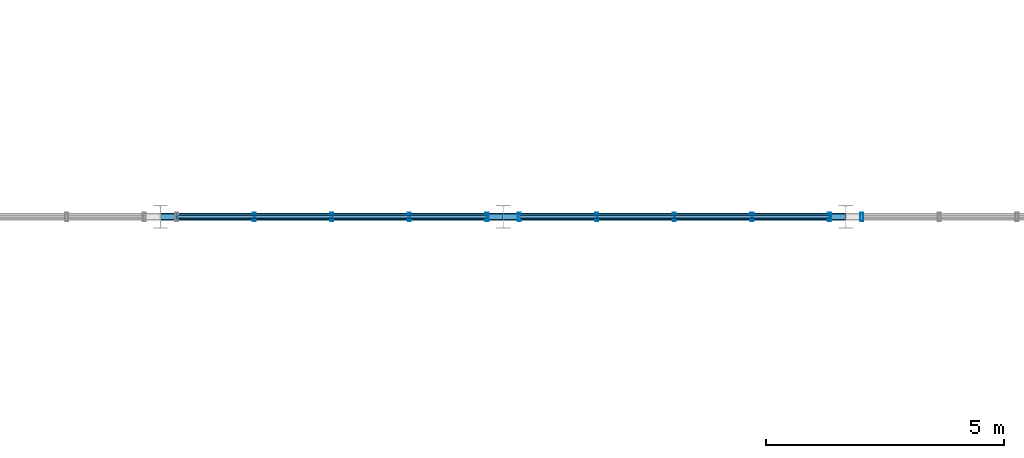
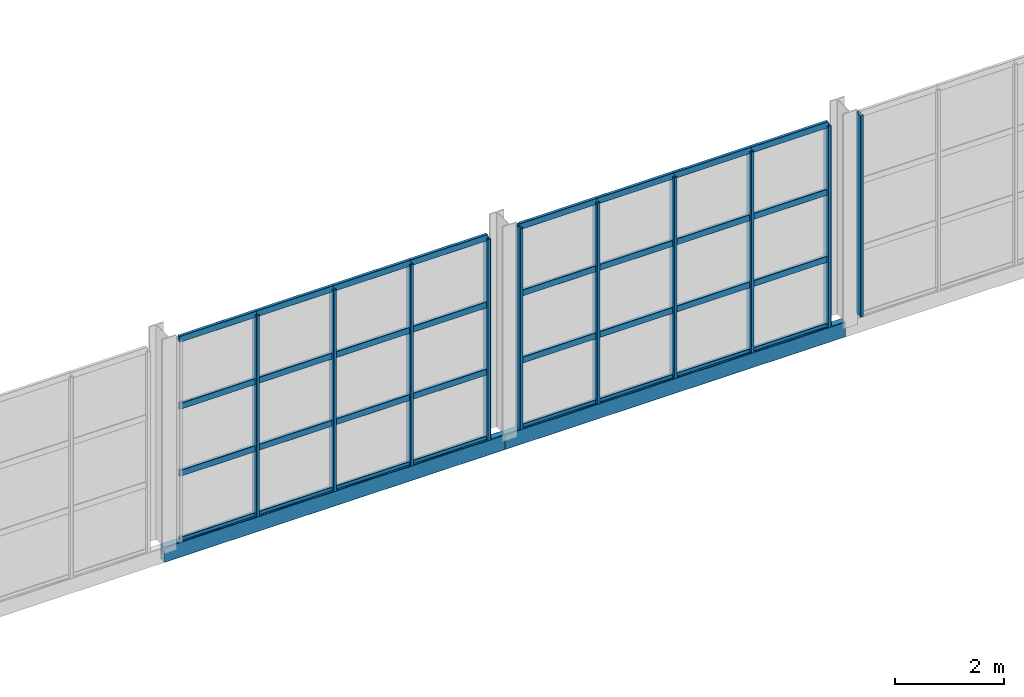
# One storey, part 30 of 143: 42 members, 2 beams, 3 elements without a shape of their own.
"""IFC4 building model written with IfcOpenShell, lengths in metres."""

from ifc_helpers import new_model, si_unit, derived_unit, direction, frame, origin, origin_2d, place, context, subcontext, project, spatial, hollow_rectangle, extrude, material, material_profile, profile_set, type_object, element, aggregate, save


model = new_model("IFC4")

# Units and contexts
model_context = context("Model", 3, precision=1e-05, world=origin(), true_north=direction((0.0, 1.0)))
body_context = subcontext(model_context, "Body", "Model", "MODEL_VIEW")
ifc_project = project(units=[si_unit("LENGTHUNIT", "METRE"), si_unit("AREAUNIT", "SQUARE_METRE"), si_unit("VOLUMEUNIT", "CUBIC_METRE"), si_unit("PLANEANGLEUNIT", "RADIAN"), si_unit("MASSUNIT", "GRAM", prefix="KILO"), derived_unit("THERMALTRANSMITTANCEUNIT", [(si_unit("POWERUNIT", "WATT"), 1), (si_unit("LENGTHUNIT", "METRE"), -2), (si_unit("THERMODYNAMICTEMPERATUREUNIT", "KELVIN"), -1)])], contexts=[model_context])

# Site, building, storey
site_placement = place(None, origin())
site = spatial("IfcSite", under=ifc_project, at=site_placement, CompositionType="ELEMENT")
building_placement = place(site_placement, origin())
building = spatial("IfcBuilding", under=site, at=building_placement, Name="Keldorne Ridge Multi-Sports Centre", CompositionType="ELEMENT")
storey_placement = place(building_placement, frame((0.0, 0.0, 4.800048828125)))
storey = spatial("IfcBuildingStorey", under=building, at=storey_placement, Name="L01", CompositionType="ELEMENT", Elevation=4.800048828125)

# Beams
ifc_material_1 = material(Name="Steel S355", Category="steel")
ifc_material_profile_1 = material_profile(ifc_material_1, hollow_rectangle(XDim=0.14990234375, YDim=0.35009765625, WallThickness=0.012451171875, InnerFilletRadius=0.012451171875, OuterFilletRadius=0.02490234375, at=origin_2d()), Name="RHS 350x150x12.5")
ifc_profile_set_1 = profile_set([ifc_material_profile_1], Name="Steel S355")
beam_type = type_object("IfcBeamType", Name="BM-SP-06", PredefinedType="SPANDREL", material=ifc_profile_set_1)
beam_1_placement = place(storey_placement, frame((49.199951171875, 54.0, -0.175048828125), z_axis=(1.0, 0.0, 0.0), x_axis=(0.0, 1.0, 0.0)))
element("IfcBeam", 1, at=beam_1_placement, inside=storey, type_object=beam_type, Name="Main Hall north spandrel L01.7", PredefinedType="SPANDREL", context=body_context, shape_type="SweptSolid", body=[
    extrude(hollow_rectangle(XDim=0.14990234375, YDim=0.35009765625, WallThickness=0.012451171875, InnerFilletRadius=0.012451171875, OuterFilletRadius=0.02490234375, at=origin_2d()), origin(), (0.0, 0.0, 1.0), 7.199951171875),
])
beam_2_placement = place(storey_placement, frame((56.39990234375, 54.0, -0.175048828125), z_axis=(1.0, 0.0, 0.0), x_axis=(0.0, 1.0, 0.0)))
element("IfcBeam", 2, at=beam_2_placement, inside=storey, type_object=beam_type, Name="Main Hall north spandrel L01.8", PredefinedType="SPANDREL", context=body_context, shape_type="SweptSolid", body=[
    extrude(hollow_rectangle(XDim=0.14990234375, YDim=0.35009765625, WallThickness=0.012451171875, InnerFilletRadius=0.012451171875, OuterFilletRadius=0.02490234375, at=origin_2d()), origin(), (0.0, 0.0, 1.0), 7.2001953125),
])

# Curtain wall, members
ifc_material_2 = material(Name="Anodized aluminium", Category="aluminium")
curtain_wall_type_1 = type_object("IfcCurtainWallType", Name="CW-CW-03", PredefinedType="NOTDEFINED", material=ifc_material_2)
curtain_wall_1_placement = place(storey_placement, origin())
curtain_wall_1 = element("IfcCurtainWall", 3, at=curtain_wall_1_placement, inside=storey, type_object=curtain_wall_type_1, Name="Main Hall north clerestory curtain wall 019", PredefinedType="NOTDEFINED")
ifc_material_profile_2 = material_profile(ifc_material_2, hollow_rectangle(XDim=0.06494140625, YDim=0.179931640625, WallThickness=0.00439453125, InnerFilletRadius=0.00439453125, OuterFilletRadius=0.009033203125, at=origin_2d()), Name="ALU MULLION 180x65x4.5")
ifc_profile_set_2 = profile_set([ifc_material_profile_2], Name="Anodized aluminium")
member_type_1 = type_object("IfcMemberType", Name="MEM-ML-01", PredefinedType="MULLION", material=ifc_profile_set_2)
member_1_placement = place(storey_placement, frame((56.06005859375, 54.0, 0.0), z_axis=(0.0, 0.0, 1.0), x_axis=(1.0, 0.0, 0.0)))
member_1 = element("IfcMember", 4, at=member_1_placement, type_object=member_type_1, Name="CW-019 vertical mullion 1", PredefinedType="MULLION", context=body_context, shape_type="SweptSolid", body=[
    extrude(hollow_rectangle(XDim=0.06494140625, YDim=0.179931640625, WallThickness=0.00439453125, InnerFilletRadius=0.00439453125, OuterFilletRadius=0.009033203125, at=origin_2d()), origin(), (0.0, 0.0, 1.0), 4.5),
])
member_2_placement = place(storey_placement, frame((54.429931640625, 54.0, 0.0), z_axis=(0.0, 0.0, 1.0), x_axis=(1.0, 0.0, 0.0)))
member_2 = element("IfcMember", 5, at=member_2_placement, type_object=member_type_1, Name="CW-019 vertical mullion 2", PredefinedType="MULLION", context=body_context, shape_type="SweptSolid", body=[
    extrude(hollow_rectangle(XDim=0.06494140625, YDim=0.179931640625, WallThickness=0.00439453125, InnerFilletRadius=0.00439453125, OuterFilletRadius=0.009033203125, at=origin_2d()), origin(), (0.0, 0.0, 1.0), 4.5),
])
member_3_placement = place(storey_placement, frame((52.800048828125, 54.0, 0.0), z_axis=(0.0, 0.0, 1.0), x_axis=(1.0, 0.0, 0.0)))
member_3 = element("IfcMember", 6, at=member_3_placement, type_object=member_type_1, Name="CW-019 vertical mullion 3", PredefinedType="MULLION", context=body_context, shape_type="SweptSolid", body=[
    extrude(hollow_rectangle(XDim=0.06494140625, YDim=0.179931640625, WallThickness=0.00439453125, InnerFilletRadius=0.00439453125, OuterFilletRadius=0.009033203125, at=origin_2d()), origin(), (0.0, 0.0, 1.0), 4.5),
])
member_4_placement = place(storey_placement, frame((51.169921875, 54.0, 0.0), z_axis=(0.0, 0.0, 1.0), x_axis=(1.0, 0.0, 0.0)))
member_4 = element("IfcMember", 7, at=member_4_placement, type_object=member_type_1, Name="CW-019 vertical mullion 4", PredefinedType="MULLION", context=body_context, shape_type="SweptSolid", body=[
    extrude(hollow_rectangle(XDim=0.06494140625, YDim=0.179931640625, WallThickness=0.00439453125, InnerFilletRadius=0.00439453125, OuterFilletRadius=0.009033203125, at=origin_2d()), origin(), (0.0, 0.0, 1.0), 4.5),
])

curtain_wall_type_2 = type_object("IfcCurtainWallType", Name="CW-CW-06", PredefinedType="NOTDEFINED", material=ifc_material_2)
curtain_wall_2_placement = place(storey_placement, origin())
curtain_wall_2 = element("IfcCurtainWall", 8, at=curtain_wall_2_placement, inside=storey, type_object=curtain_wall_type_2, Name="Main Hall north clerestory curtain wall 022", PredefinedType="NOTDEFINED")
member_5_placement = place(storey_placement, frame((63.260009765625, 54.0, 0.0), z_axis=(0.0, 0.0, 1.0), x_axis=(1.0, 0.0, 0.0)))
member_5 = element("IfcMember", 9, at=member_5_placement, type_object=member_type_1, Name="CW-022 vertical mullion 1", PredefinedType="MULLION", context=body_context, shape_type="SweptSolid", body=[
    extrude(hollow_rectangle(XDim=0.06494140625, YDim=0.179931640625, WallThickness=0.00439453125, InnerFilletRadius=0.00439453125, OuterFilletRadius=0.009033203125, at=origin_2d()), origin(), (0.0, 0.0, 1.0), 4.5),
])
member_6_placement = place(storey_placement, frame((61.6298828125, 54.0, 0.0), z_axis=(0.0, 0.0, 1.0), x_axis=(1.0, 0.0, 0.0)))
member_6 = element("IfcMember", 10, at=member_6_placement, type_object=member_type_1, Name="CW-022 vertical mullion 2", PredefinedType="MULLION", context=body_context, shape_type="SweptSolid", body=[
    extrude(hollow_rectangle(XDim=0.06494140625, YDim=0.179931640625, WallThickness=0.00439453125, InnerFilletRadius=0.00439453125, OuterFilletRadius=0.009033203125, at=origin_2d()), origin(), (0.0, 0.0, 1.0), 4.5),
])
member_7_placement = place(storey_placement, frame((60.0, 54.0, 0.0), z_axis=(0.0, 0.0, 1.0), x_axis=(1.0, 0.0, 0.0)))
member_7 = element("IfcMember", 11, at=member_7_placement, type_object=member_type_1, Name="CW-022 vertical mullion 3", PredefinedType="MULLION", context=body_context, shape_type="SweptSolid", body=[
    extrude(hollow_rectangle(XDim=0.06494140625, YDim=0.179931640625, WallThickness=0.00439453125, InnerFilletRadius=0.00439453125, OuterFilletRadius=0.009033203125, at=origin_2d()), origin(), (0.0, 0.0, 1.0), 4.5),
])
member_8_placement = place(storey_placement, frame((58.3701171875, 54.0, 0.0), z_axis=(0.0, 0.0, 1.0), x_axis=(1.0, 0.0, 0.0)))
member_8 = element("IfcMember", 12, at=member_8_placement, type_object=member_type_1, Name="CW-022 vertical mullion 4", PredefinedType="MULLION", context=body_context, shape_type="SweptSolid", body=[
    extrude(hollow_rectangle(XDim=0.06494140625, YDim=0.179931640625, WallThickness=0.00439453125, InnerFilletRadius=0.00439453125, OuterFilletRadius=0.009033203125, at=origin_2d()), origin(), (0.0, 0.0, 1.0), 4.5),
])
member_9_placement = place(storey_placement, frame((56.739990234375, 54.0, 0.0), z_axis=(0.0, 0.0, 1.0), x_axis=(1.0, 0.0, 0.0)))
member_9 = element("IfcMember", 13, at=member_9_placement, type_object=member_type_1, Name="CW-022 vertical mullion 5", PredefinedType="MULLION", context=body_context, shape_type="SweptSolid", body=[
    extrude(hollow_rectangle(XDim=0.06494140625, YDim=0.179931640625, WallThickness=0.00439453125, InnerFilletRadius=0.00439453125, OuterFilletRadius=0.009033203125, at=origin_2d()), origin(), (0.0, 0.0, 1.0), 4.5),
])

# Curtain wall, member
curtain_wall_type_3 = type_object("IfcCurtainWallType", Name="CW-CW-01", PredefinedType="NOTDEFINED", material=ifc_material_2)
curtain_wall_3_placement = place(storey_placement, origin())
curtain_wall_3 = element("IfcCurtainWall", 14, at=curtain_wall_3_placement, inside=storey, type_object=curtain_wall_type_3, Name="Main Hall north clerestory curtain wall 025", PredefinedType="NOTDEFINED")
member_10_placement = place(storey_placement, frame((63.93994140625, 54.0, 0.0), z_axis=(0.0, 0.0, 1.0), x_axis=(1.0, 0.0, 0.0)))
member_10 = element("IfcMember", 15, at=member_10_placement, type_object=member_type_1, Name="CW-025 vertical mullion 5", PredefinedType="MULLION", context=body_context, shape_type="SweptSolid", body=[
    extrude(hollow_rectangle(XDim=0.06494140625, YDim=0.179931640625, WallThickness=0.00439453125, InnerFilletRadius=0.00439453125, OuterFilletRadius=0.009033203125, at=origin_2d()), origin(), (0.0, 0.0, 1.0), 4.5),
])
aggregate(curtain_wall_3, [member_10])

# Member
ifc_material_profile_3 = material_profile(ifc_material_2, hollow_rectangle(XDim=0.06494140625, YDim=0.139892578125, WallThickness=0.00439453125, InnerFilletRadius=0.00439453125, OuterFilletRadius=0.009033203125, at=origin_2d()), Name="ALU TRANSOM 140x65x4.5")
ifc_profile_set_3 = profile_set([ifc_material_profile_3], Name="Anodized aluminium")
member_type_2 = type_object("IfcMemberType", Name="MEM-TR-01", PredefinedType="USERDEFINED", material=ifc_profile_set_3)
member_11_placement = place(storey_placement, frame((56.06005859375, 54.0, 0.0), z_axis=(-1.0, 0.0, 0.0), x_axis=(0.0, -1.0, 0.0)))
member_11 = element("IfcMember", 16, at=member_11_placement, type_object=member_type_2, Name="CW-019 transom 1.1", ObjectType="TRANSOM", PredefinedType="USERDEFINED", context=body_context, shape_type="SweptSolid", body=[
    extrude(hollow_rectangle(XDim=0.06494140625, YDim=0.139892578125, WallThickness=0.00439453125, InnerFilletRadius=0.00439453125, OuterFilletRadius=0.009033203125, at=origin_2d()), origin(), (0.0, 0.0, 1.0), 1.630126953125),
])

member_12_placement = place(storey_placement, frame((56.06005859375, 54.0, 1.5), z_axis=(-1.0, 0.0, 0.0), x_axis=(0.0, -1.0, 0.0)))
member_12 = element("IfcMember", 17, at=member_12_placement, type_object=member_type_2, Name="CW-019 transom 1.2", ObjectType="TRANSOM", PredefinedType="USERDEFINED", context=body_context, shape_type="SweptSolid", body=[
    extrude(hollow_rectangle(XDim=0.06494140625, YDim=0.139892578125, WallThickness=0.00439453125, InnerFilletRadius=0.00439453125, OuterFilletRadius=0.009033203125, at=origin_2d()), origin(), (0.0, 0.0, 1.0), 1.630126953125),
])

member_13_placement = place(storey_placement, frame((56.06005859375, 54.0, 3.0), z_axis=(-1.0, 0.0, 0.0), x_axis=(0.0, -1.0, 0.0)))
member_13 = element("IfcMember", 18, at=member_13_placement, type_object=member_type_2, Name="CW-019 transom 1.3", ObjectType="TRANSOM", PredefinedType="USERDEFINED", context=body_context, shape_type="SweptSolid", body=[
    extrude(hollow_rectangle(XDim=0.06494140625, YDim=0.139892578125, WallThickness=0.00439453125, InnerFilletRadius=0.00439453125, OuterFilletRadius=0.009033203125, at=origin_2d()), origin(), (0.0, 0.0, 1.0), 1.630126953125),
])

member_14_placement = place(storey_placement, frame((56.06005859375, 54.0, 4.5), z_axis=(-1.0, 0.0, 0.0), x_axis=(0.0, -1.0, 0.0)))
member_14 = element("IfcMember", 19, at=member_14_placement, type_object=member_type_2, Name="CW-019 transom 1.4", ObjectType="TRANSOM", PredefinedType="USERDEFINED", context=body_context, shape_type="SweptSolid", body=[
    extrude(hollow_rectangle(XDim=0.06494140625, YDim=0.139892578125, WallThickness=0.00439453125, InnerFilletRadius=0.00439453125, OuterFilletRadius=0.009033203125, at=origin_2d()), origin(), (0.0, 0.0, 1.0), 1.630126953125),
])

member_15_placement = place(storey_placement, frame((54.429931640625, 54.0, 0.0), z_axis=(-1.0, 0.0, 0.0), x_axis=(0.0, -1.0, 0.0)))
member_15 = element("IfcMember", 20, at=member_15_placement, type_object=member_type_2, Name="CW-019 transom 2.1", ObjectType="TRANSOM", PredefinedType="USERDEFINED", context=body_context, shape_type="SweptSolid", body=[
    extrude(hollow_rectangle(XDim=0.06494140625, YDim=0.139892578125, WallThickness=0.00439453125, InnerFilletRadius=0.00439453125, OuterFilletRadius=0.009033203125, at=origin_2d()), origin(), (0.0, 0.0, 1.0), 1.6298828125),
])

member_16_placement = place(storey_placement, frame((54.429931640625, 54.0, 1.5), z_axis=(-1.0, 0.0, 0.0), x_axis=(0.0, -1.0, 0.0)))
member_16 = element("IfcMember", 21, at=member_16_placement, type_object=member_type_2, Name="CW-019 transom 2.2", ObjectType="TRANSOM", PredefinedType="USERDEFINED", context=body_context, shape_type="SweptSolid", body=[
    extrude(hollow_rectangle(XDim=0.06494140625, YDim=0.139892578125, WallThickness=0.00439453125, InnerFilletRadius=0.00439453125, OuterFilletRadius=0.009033203125, at=origin_2d()), origin(), (0.0, 0.0, 1.0), 1.6298828125),
])

member_17_placement = place(storey_placement, frame((54.429931640625, 54.0, 3.0), z_axis=(-1.0, 0.0, 0.0), x_axis=(0.0, -1.0, 0.0)))
member_17 = element("IfcMember", 22, at=member_17_placement, type_object=member_type_2, Name="CW-019 transom 2.3", ObjectType="TRANSOM", PredefinedType="USERDEFINED", context=body_context, shape_type="SweptSolid", body=[
    extrude(hollow_rectangle(XDim=0.06494140625, YDim=0.139892578125, WallThickness=0.00439453125, InnerFilletRadius=0.00439453125, OuterFilletRadius=0.009033203125, at=origin_2d()), origin(), (0.0, 0.0, 1.0), 1.6298828125),
])

member_18_placement = place(storey_placement, frame((54.429931640625, 54.0, 4.5), z_axis=(-1.0, 0.0, 0.0), x_axis=(0.0, -1.0, 0.0)))
member_18 = element("IfcMember", 23, at=member_18_placement, type_object=member_type_2, Name="CW-019 transom 2.4", ObjectType="TRANSOM", PredefinedType="USERDEFINED", context=body_context, shape_type="SweptSolid", body=[
    extrude(hollow_rectangle(XDim=0.06494140625, YDim=0.139892578125, WallThickness=0.00439453125, InnerFilletRadius=0.00439453125, OuterFilletRadius=0.009033203125, at=origin_2d()), origin(), (0.0, 0.0, 1.0), 1.6298828125),
])

member_19_placement = place(storey_placement, frame((52.800048828125, 54.0, 0.0), z_axis=(-1.0, 0.0, 0.0), x_axis=(0.0, -1.0, 0.0)))
member_19 = element("IfcMember", 24, at=member_19_placement, type_object=member_type_2, Name="CW-019 transom 3.1", ObjectType="TRANSOM", PredefinedType="USERDEFINED", context=body_context, shape_type="SweptSolid", body=[
    extrude(hollow_rectangle(XDim=0.06494140625, YDim=0.139892578125, WallThickness=0.00439453125, InnerFilletRadius=0.00439453125, OuterFilletRadius=0.009033203125, at=origin_2d()), origin(), (0.0, 0.0, 1.0), 1.630126953125),
])

member_20_placement = place(storey_placement, frame((52.800048828125, 54.0, 1.5), z_axis=(-1.0, 0.0, 0.0), x_axis=(0.0, -1.0, 0.0)))
member_20 = element("IfcMember", 25, at=member_20_placement, type_object=member_type_2, Name="CW-019 transom 3.2", ObjectType="TRANSOM", PredefinedType="USERDEFINED", context=body_context, shape_type="SweptSolid", body=[
    extrude(hollow_rectangle(XDim=0.06494140625, YDim=0.139892578125, WallThickness=0.00439453125, InnerFilletRadius=0.00439453125, OuterFilletRadius=0.009033203125, at=origin_2d()), origin(), (0.0, 0.0, 1.0), 1.630126953125),
])

member_21_placement = place(storey_placement, frame((52.800048828125, 54.0, 3.0), z_axis=(-1.0, 0.0, 0.0), x_axis=(0.0, -1.0, 0.0)))
member_21 = element("IfcMember", 26, at=member_21_placement, type_object=member_type_2, Name="CW-019 transom 3.3", ObjectType="TRANSOM", PredefinedType="USERDEFINED", context=body_context, shape_type="SweptSolid", body=[
    extrude(hollow_rectangle(XDim=0.06494140625, YDim=0.139892578125, WallThickness=0.00439453125, InnerFilletRadius=0.00439453125, OuterFilletRadius=0.009033203125, at=origin_2d()), origin(), (0.0, 0.0, 1.0), 1.630126953125),
])

member_22_placement = place(storey_placement, frame((52.800048828125, 54.0, 4.5), z_axis=(-1.0, 0.0, 0.0), x_axis=(0.0, -1.0, 0.0)))
member_22 = element("IfcMember", 27, at=member_22_placement, type_object=member_type_2, Name="CW-019 transom 3.4", ObjectType="TRANSOM", PredefinedType="USERDEFINED", context=body_context, shape_type="SweptSolid", body=[
    extrude(hollow_rectangle(XDim=0.06494140625, YDim=0.139892578125, WallThickness=0.00439453125, InnerFilletRadius=0.00439453125, OuterFilletRadius=0.009033203125, at=origin_2d()), origin(), (0.0, 0.0, 1.0), 1.630126953125),
])

member_23_placement = place(storey_placement, frame((51.169921875, 54.0, 0.0), z_axis=(-1.0, 0.0, 0.0), x_axis=(0.0, -1.0, 0.0)))
member_23 = element("IfcMember", 28, at=member_23_placement, type_object=member_type_2, Name="CW-019 transom 4.1", ObjectType="TRANSOM", PredefinedType="USERDEFINED", context=body_context, shape_type="SweptSolid", body=[
    extrude(hollow_rectangle(XDim=0.06494140625, YDim=0.139892578125, WallThickness=0.00439453125, InnerFilletRadius=0.00439453125, OuterFilletRadius=0.009033203125, at=origin_2d()), origin(), (0.0, 0.0, 1.0), 1.6298828125),
])

member_24_placement = place(storey_placement, frame((51.169921875, 54.0, 1.5), z_axis=(-1.0, 0.0, 0.0), x_axis=(0.0, -1.0, 0.0)))
member_24 = element("IfcMember", 29, at=member_24_placement, type_object=member_type_2, Name="CW-019 transom 4.2", ObjectType="TRANSOM", PredefinedType="USERDEFINED", context=body_context, shape_type="SweptSolid", body=[
    extrude(hollow_rectangle(XDim=0.06494140625, YDim=0.139892578125, WallThickness=0.00439453125, InnerFilletRadius=0.00439453125, OuterFilletRadius=0.009033203125, at=origin_2d()), origin(), (0.0, 0.0, 1.0), 1.6298828125),
])

member_25_placement = place(storey_placement, frame((51.169921875, 54.0, 3.0), z_axis=(-1.0, 0.0, 0.0), x_axis=(0.0, -1.0, 0.0)))
member_25 = element("IfcMember", 30, at=member_25_placement, type_object=member_type_2, Name="CW-019 transom 4.3", ObjectType="TRANSOM", PredefinedType="USERDEFINED", context=body_context, shape_type="SweptSolid", body=[
    extrude(hollow_rectangle(XDim=0.06494140625, YDim=0.139892578125, WallThickness=0.00439453125, InnerFilletRadius=0.00439453125, OuterFilletRadius=0.009033203125, at=origin_2d()), origin(), (0.0, 0.0, 1.0), 1.6298828125),
])

member_26_placement = place(storey_placement, frame((51.169921875, 54.0, 4.5), z_axis=(-1.0, 0.0, 0.0), x_axis=(0.0, -1.0, 0.0)))
member_26 = element("IfcMember", 31, at=member_26_placement, type_object=member_type_2, Name="CW-019 transom 4.4", ObjectType="TRANSOM", PredefinedType="USERDEFINED", context=body_context, shape_type="SweptSolid", body=[
    extrude(hollow_rectangle(XDim=0.06494140625, YDim=0.139892578125, WallThickness=0.00439453125, InnerFilletRadius=0.00439453125, OuterFilletRadius=0.009033203125, at=origin_2d()), origin(), (0.0, 0.0, 1.0), 1.6298828125),
])

aggregate(curtain_wall_1, [member_1, member_2, member_3, member_4, member_11, member_12, member_13, member_14, member_15, member_16, member_17, member_18, member_19, member_20, member_21, member_22, member_23, member_24, member_25, member_26])

member_27_placement = place(storey_placement, frame((63.260009765625, 54.0, 0.0), z_axis=(-1.0, 0.0, 0.0), x_axis=(0.0, -1.0, 0.0)))
member_27 = element("IfcMember", 32, at=member_27_placement, type_object=member_type_2, Name="CW-022 transom 1.1", ObjectType="TRANSOM", PredefinedType="USERDEFINED", context=body_context, shape_type="SweptSolid", body=[
    extrude(hollow_rectangle(XDim=0.06494140625, YDim=0.139892578125, WallThickness=0.00439453125, InnerFilletRadius=0.00439453125, OuterFilletRadius=0.009033203125, at=origin_2d()), origin(), (0.0, 0.0, 1.0), 1.630126953125),
])

member_28_placement = place(storey_placement, frame((63.260009765625, 54.0, 1.5), z_axis=(-1.0, 0.0, 0.0), x_axis=(0.0, -1.0, 0.0)))
member_28 = element("IfcMember", 33, at=member_28_placement, type_object=member_type_2, Name="CW-022 transom 1.2", ObjectType="TRANSOM", PredefinedType="USERDEFINED", context=body_context, shape_type="SweptSolid", body=[
    extrude(hollow_rectangle(XDim=0.06494140625, YDim=0.139892578125, WallThickness=0.00439453125, InnerFilletRadius=0.00439453125, OuterFilletRadius=0.009033203125, at=origin_2d()), origin(), (0.0, 0.0, 1.0), 1.630126953125),
])

member_29_placement = place(storey_placement, frame((63.260009765625, 54.0, 3.0), z_axis=(-1.0, 0.0, 0.0), x_axis=(0.0, -1.0, 0.0)))
member_29 = element("IfcMember", 34, at=member_29_placement, type_object=member_type_2, Name="CW-022 transom 1.3", ObjectType="TRANSOM", PredefinedType="USERDEFINED", context=body_context, shape_type="SweptSolid", body=[
    extrude(hollow_rectangle(XDim=0.06494140625, YDim=0.139892578125, WallThickness=0.00439453125, InnerFilletRadius=0.00439453125, OuterFilletRadius=0.009033203125, at=origin_2d()), origin(), (0.0, 0.0, 1.0), 1.630126953125),
])

member_30_placement = place(storey_placement, frame((63.260009765625, 54.0, 4.5), z_axis=(-1.0, 0.0, 0.0), x_axis=(0.0, -1.0, 0.0)))
member_30 = element("IfcMember", 35, at=member_30_placement, type_object=member_type_2, Name="CW-022 transom 1.4", ObjectType="TRANSOM", PredefinedType="USERDEFINED", context=body_context, shape_type="SweptSolid", body=[
    extrude(hollow_rectangle(XDim=0.06494140625, YDim=0.139892578125, WallThickness=0.00439453125, InnerFilletRadius=0.00439453125, OuterFilletRadius=0.009033203125, at=origin_2d()), origin(), (0.0, 0.0, 1.0), 1.630126953125),
])

member_31_placement = place(storey_placement, frame((61.6298828125, 54.0, 0.0), z_axis=(-1.0, 0.0, 0.0), x_axis=(0.0, -1.0, 0.0)))
member_31 = element("IfcMember", 36, at=member_31_placement, type_object=member_type_2, Name="CW-022 transom 2.1", ObjectType="TRANSOM", PredefinedType="USERDEFINED", context=body_context, shape_type="SweptSolid", body=[
    extrude(hollow_rectangle(XDim=0.06494140625, YDim=0.139892578125, WallThickness=0.00439453125, InnerFilletRadius=0.00439453125, OuterFilletRadius=0.009033203125, at=origin_2d()), origin(), (0.0, 0.0, 1.0), 1.6298828125),
])

member_32_placement = place(storey_placement, frame((61.6298828125, 54.0, 1.5), z_axis=(-1.0, 0.0, 0.0), x_axis=(0.0, -1.0, 0.0)))
member_32 = element("IfcMember", 37, at=member_32_placement, type_object=member_type_2, Name="CW-022 transom 2.2", ObjectType="TRANSOM", PredefinedType="USERDEFINED", context=body_context, shape_type="SweptSolid", body=[
    extrude(hollow_rectangle(XDim=0.06494140625, YDim=0.139892578125, WallThickness=0.00439453125, InnerFilletRadius=0.00439453125, OuterFilletRadius=0.009033203125, at=origin_2d()), origin(), (0.0, 0.0, 1.0), 1.6298828125),
])

member_33_placement = place(storey_placement, frame((61.6298828125, 54.0, 3.0), z_axis=(-1.0, 0.0, 0.0), x_axis=(0.0, -1.0, 0.0)))
member_33 = element("IfcMember", 38, at=member_33_placement, type_object=member_type_2, Name="CW-022 transom 2.3", ObjectType="TRANSOM", PredefinedType="USERDEFINED", context=body_context, shape_type="SweptSolid", body=[
    extrude(hollow_rectangle(XDim=0.06494140625, YDim=0.139892578125, WallThickness=0.00439453125, InnerFilletRadius=0.00439453125, OuterFilletRadius=0.009033203125, at=origin_2d()), origin(), (0.0, 0.0, 1.0), 1.6298828125),
])

member_34_placement = place(storey_placement, frame((61.6298828125, 54.0, 4.5), z_axis=(-1.0, 0.0, 0.0), x_axis=(0.0, -1.0, 0.0)))
member_34 = element("IfcMember", 39, at=member_34_placement, type_object=member_type_2, Name="CW-022 transom 2.4", ObjectType="TRANSOM", PredefinedType="USERDEFINED", context=body_context, shape_type="SweptSolid", body=[
    extrude(hollow_rectangle(XDim=0.06494140625, YDim=0.139892578125, WallThickness=0.00439453125, InnerFilletRadius=0.00439453125, OuterFilletRadius=0.009033203125, at=origin_2d()), origin(), (0.0, 0.0, 1.0), 1.6298828125),
])

member_35_placement = place(storey_placement, frame((60.0, 54.0, 0.0), z_axis=(-1.0, 0.0, 0.0), x_axis=(0.0, -1.0, 0.0)))
member_35 = element("IfcMember", 40, at=member_35_placement, type_object=member_type_2, Name="CW-022 transom 3.1", ObjectType="TRANSOM", PredefinedType="USERDEFINED", context=body_context, shape_type="SweptSolid", body=[
    extrude(hollow_rectangle(XDim=0.06494140625, YDim=0.139892578125, WallThickness=0.00439453125, InnerFilletRadius=0.00439453125, OuterFilletRadius=0.009033203125, at=origin_2d()), origin(), (0.0, 0.0, 1.0), 1.6298828125),
])

member_36_placement = place(storey_placement, frame((60.0, 54.0, 1.5), z_axis=(-1.0, 0.0, 0.0), x_axis=(0.0, -1.0, 0.0)))
member_36 = element("IfcMember", 41, at=member_36_placement, type_object=member_type_2, Name="CW-022 transom 3.2", ObjectType="TRANSOM", PredefinedType="USERDEFINED", context=body_context, shape_type="SweptSolid", body=[
    extrude(hollow_rectangle(XDim=0.06494140625, YDim=0.139892578125, WallThickness=0.00439453125, InnerFilletRadius=0.00439453125, OuterFilletRadius=0.009033203125, at=origin_2d()), origin(), (0.0, 0.0, 1.0), 1.6298828125),
])

member_37_placement = place(storey_placement, frame((60.0, 54.0, 3.0), z_axis=(-1.0, 0.0, 0.0), x_axis=(0.0, -1.0, 0.0)))
member_37 = element("IfcMember", 42, at=member_37_placement, type_object=member_type_2, Name="CW-022 transom 3.3", ObjectType="TRANSOM", PredefinedType="USERDEFINED", context=body_context, shape_type="SweptSolid", body=[
    extrude(hollow_rectangle(XDim=0.06494140625, YDim=0.139892578125, WallThickness=0.00439453125, InnerFilletRadius=0.00439453125, OuterFilletRadius=0.009033203125, at=origin_2d()), origin(), (0.0, 0.0, 1.0), 1.6298828125),
])

member_38_placement = place(storey_placement, frame((60.0, 54.0, 4.5), z_axis=(-1.0, 0.0, 0.0), x_axis=(0.0, -1.0, 0.0)))
member_38 = element("IfcMember", 43, at=member_38_placement, type_object=member_type_2, Name="CW-022 transom 3.4", ObjectType="TRANSOM", PredefinedType="USERDEFINED", context=body_context, shape_type="SweptSolid", body=[
    extrude(hollow_rectangle(XDim=0.06494140625, YDim=0.139892578125, WallThickness=0.00439453125, InnerFilletRadius=0.00439453125, OuterFilletRadius=0.009033203125, at=origin_2d()), origin(), (0.0, 0.0, 1.0), 1.6298828125),
])

member_39_placement = place(storey_placement, frame((58.3701171875, 54.0, 0.0), z_axis=(-1.0, 0.0, 0.0), x_axis=(0.0, -1.0, 0.0)))
member_39 = element("IfcMember", 44, at=member_39_placement, type_object=member_type_2, Name="CW-022 transom 4.1", ObjectType="TRANSOM", PredefinedType="USERDEFINED", context=body_context, shape_type="SweptSolid", body=[
    extrude(hollow_rectangle(XDim=0.06494140625, YDim=0.139892578125, WallThickness=0.00439453125, InnerFilletRadius=0.00439453125, OuterFilletRadius=0.009033203125, at=origin_2d()), origin(), (0.0, 0.0, 1.0), 1.630126953125),
])

member_40_placement = place(storey_placement, frame((58.3701171875, 54.0, 1.5), z_axis=(-1.0, 0.0, 0.0), x_axis=(0.0, -1.0, 0.0)))
member_40 = element("IfcMember", 45, at=member_40_placement, type_object=member_type_2, Name="CW-022 transom 4.2", ObjectType="TRANSOM", PredefinedType="USERDEFINED", context=body_context, shape_type="SweptSolid", body=[
    extrude(hollow_rectangle(XDim=0.06494140625, YDim=0.139892578125, WallThickness=0.00439453125, InnerFilletRadius=0.00439453125, OuterFilletRadius=0.009033203125, at=origin_2d()), origin(), (0.0, 0.0, 1.0), 1.630126953125),
])

member_41_placement = place(storey_placement, frame((58.3701171875, 54.0, 3.0), z_axis=(-1.0, 0.0, 0.0), x_axis=(0.0, -1.0, 0.0)))
member_41 = element("IfcMember", 46, at=member_41_placement, type_object=member_type_2, Name="CW-022 transom 4.3", ObjectType="TRANSOM", PredefinedType="USERDEFINED", context=body_context, shape_type="SweptSolid", body=[
    extrude(hollow_rectangle(XDim=0.06494140625, YDim=0.139892578125, WallThickness=0.00439453125, InnerFilletRadius=0.00439453125, OuterFilletRadius=0.009033203125, at=origin_2d()), origin(), (0.0, 0.0, 1.0), 1.630126953125),
])

member_42_placement = place(storey_placement, frame((58.3701171875, 54.0, 4.5), z_axis=(-1.0, 0.0, 0.0), x_axis=(0.0, -1.0, 0.0)))
member_42 = element("IfcMember", 47, at=member_42_placement, type_object=member_type_2, Name="CW-022 transom 4.4", ObjectType="TRANSOM", PredefinedType="USERDEFINED", context=body_context, shape_type="SweptSolid", body=[
    extrude(hollow_rectangle(XDim=0.06494140625, YDim=0.139892578125, WallThickness=0.00439453125, InnerFilletRadius=0.00439453125, OuterFilletRadius=0.009033203125, at=origin_2d()), origin(), (0.0, 0.0, 1.0), 1.630126953125),
])

aggregate(curtain_wall_2, [member_5, member_6, member_7, member_8, member_9, member_27, member_28, member_29, member_30, member_31, member_32, member_33, member_34, member_35, member_36, member_37, member_38, member_39, member_40, member_41, member_42])

save(model, "model.ifc")
